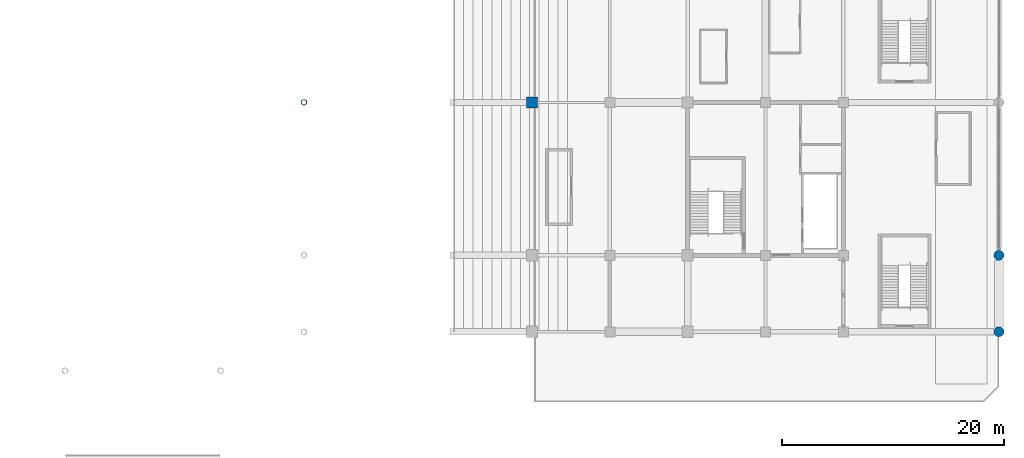
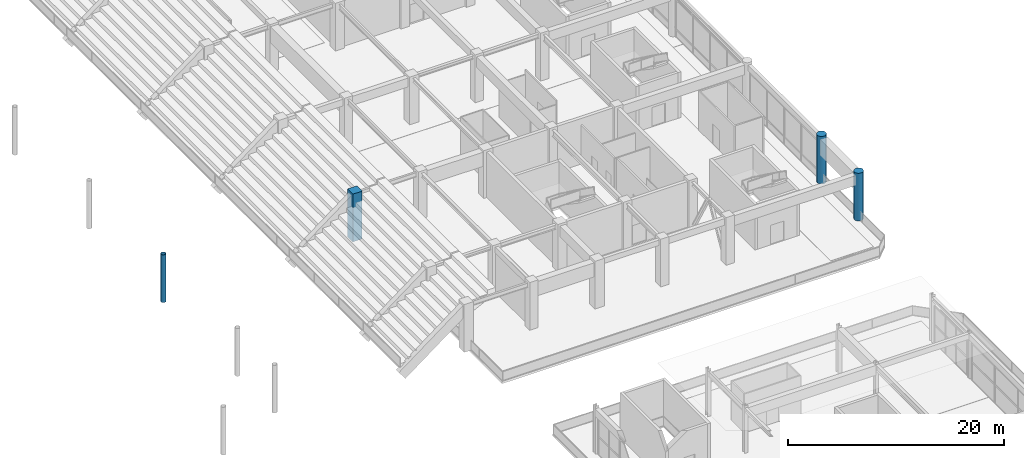
# One storey, part 12 of 117: 4 columns.
"""IFC4 building model written with IfcOpenShell, lengths in metres."""

from ifc_helpers import new_model, si_unit, direction, frame, origin, origin_2d, place, context, subcontext, project, spatial, rectangle, circle, hollow_circle, extrude, material, material_profile, profile_set, type_object, element, save


model = new_model("IFC4")

# Units and contexts
model_context = context("Model", 3, precision=1e-05, world=origin(), true_north=direction((0.0, 1.0)))
body_context = subcontext(model_context, "Body", "Model", "MODEL_VIEW")
ifc_project = project(units=[si_unit("LENGTHUNIT", "METRE"), si_unit("AREAUNIT", "SQUARE_METRE"), si_unit("VOLUMEUNIT", "CUBIC_METRE"), si_unit("PLANEANGLEUNIT", "RADIAN"), si_unit("MASSUNIT", "GRAM", prefix="KILO")], contexts=[model_context])

# Site, building, storey
site_placement = place(None, origin())
site = spatial("IfcSite", under=ifc_project, at=site_placement, CompositionType="ELEMENT")
building_placement = place(site_placement, origin())
building = spatial("IfcBuilding", under=site, at=building_placement, Name="Linyun Crest Stadium", CompositionType="ELEMENT")
storey_placement = place(building_placement, frame((0.0, 0.0, 6.0)))
storey = spatial("IfcBuildingStorey", under=building, at=storey_placement, Name="L02", CompositionType="ELEMENT", Elevation=6.0)

# Columns
ifc_material_1 = material(Name="Concrete C50", Category="concrete")
ifc_material_profile_1 = material_profile(ifc_material_1, rectangle(XDim=1.0, YDim=1.0, at=origin_2d()), Name="RC 1000x1000")
ifc_profile_set_1 = profile_set([ifc_material_profile_1], Name="Concrete C50")
column_type_1 = type_object("IfcColumnType", Name="C05", PredefinedType="COLUMN", material=ifc_profile_set_1)
column_1_placement = place(storey_placement, frame((56.0, -25.375, 0.0), z_axis=(0.0, 0.0, 1.0), x_axis=(1.0, 0.0, 0.0)))
element("IfcColumn", 1, at=column_1_placement, inside=storey, type_object=column_type_1, Name="Column C05 L02 331", PredefinedType="COLUMN", context=body_context, shape_type="SweptSolid", body=[
    extrude(rectangle(XDim=1.0, YDim=1.0, at=origin_2d()), origin(), (0.0, 0.0, 1.0), 5.39794921875),
])
ifc_material_2 = material(Name="Concrete C50", Category="concrete")
ifc_material_profile_2 = material_profile(ifc_material_2, circle(Radius=0.449951171875, at=origin_2d()), Name="RC D900")
ifc_profile_set_2 = profile_set([ifc_material_profile_2], Name="Concrete C50")
column_type_2 = type_object("IfcColumnType", Name="C08", PredefinedType="COLUMN", material=ifc_profile_set_2)
for number, where, z_axis, x_axis, name in (
    (2, (98.0, -46.0, 0.0), (0.0, 0.0, 1.0), (1.0, 0.0, 0.0), "Column C08 L02 531"),
    (3, (98.0, -39.125, 0.0), (0.0, 0.0, 1.0), (1.0, 0.0, 0.0), "Column C08 L02 536"),
):
    element("IfcColumn", number, at=place(storey_placement, frame(where, z_axis=z_axis, x_axis=x_axis)), inside=storey, type_object=column_type_2, Name=name, PredefinedType="COLUMN", context=body_context, shape_type="SweptSolid", body=[
        extrude(circle(Radius=0.449951171875, at=origin_2d()), origin(), (0.0, 0.0, 1.0), 5.39794921875),
    ])
ifc_material_3 = material(Name="Steel Q355C", Category="steel")
ifc_material_profile_3 = material_profile(ifc_material_3, hollow_circle(Radius=0.25390625, WallThickness=0.02490234375, at=origin_2d()), Name="CHS 508x25")
ifc_profile_set_3 = profile_set([ifc_material_profile_3], Name="Steel Q355C")
column_type_3 = type_object("IfcColumnType", Name="SC05", PredefinedType="COLUMN", material=ifc_profile_set_3)
column_2_placement = place(storey_placement, frame((35.5, -25.375, 0.0), z_axis=(0.0, 0.0, 1.0), x_axis=(1.0, 0.0, 0.0)))
element("IfcColumn", 4, at=column_2_placement, inside=storey, type_object=column_type_3, Name="Arch colonnade column SC05 L02 22", PredefinedType="COLUMN", context=body_context, shape_type="SweptSolid", body=[
    extrude(hollow_circle(Radius=0.25390625, WallThickness=0.02490234375, at=origin_2d()), origin(), (0.0, 0.0, 1.0), 5.39990234375),
])

save(model, "model.ifc")
